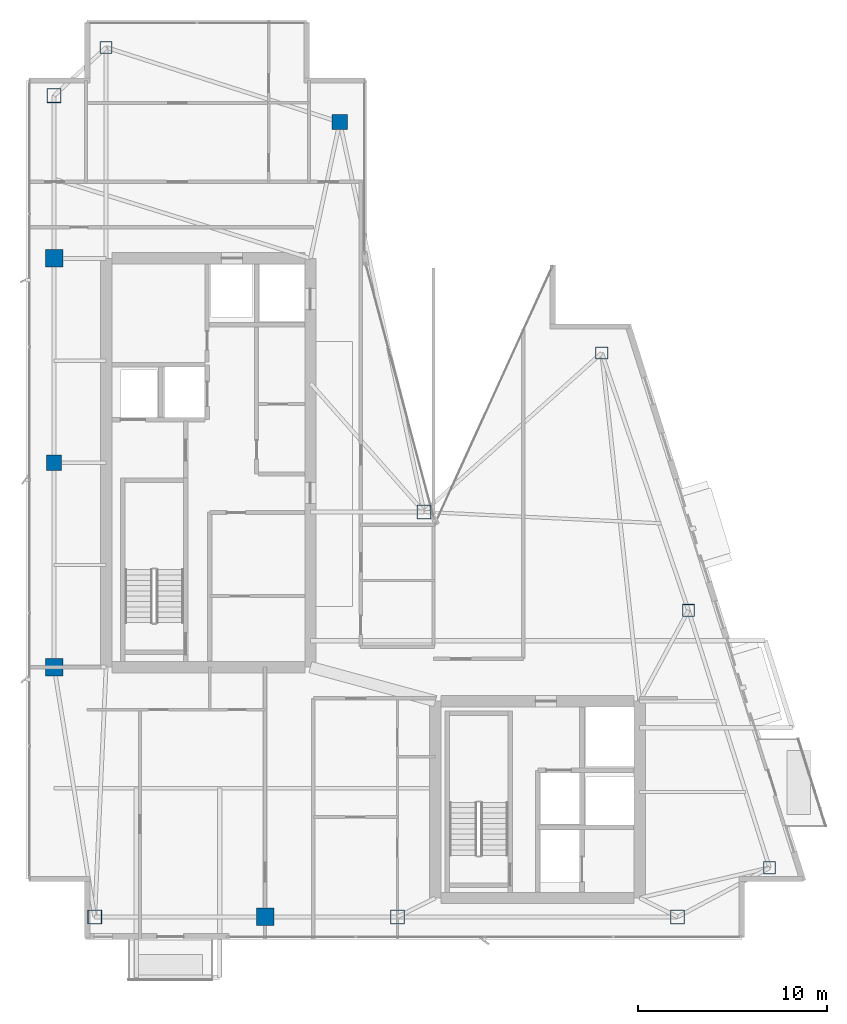
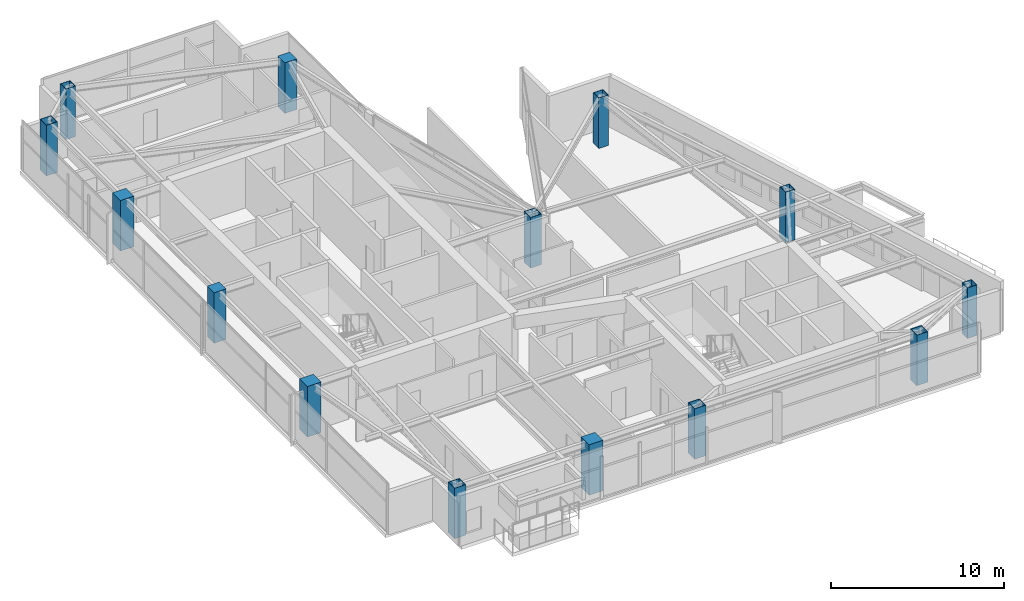
# One storey, part 1 of 27: 14 columns.
"""IFC4 building model written with IfcOpenShell, lengths in metres."""

from ifc_helpers import new_model, si_unit, direction, frame, origin, origin_2d, place, context, subcontext, project, spatial, rectangle, hollow_rectangle, extrude, material, material_profile, profile_set, type_object, element, save


model = new_model("IFC4")

# Units and contexts
model_context = context("Model", 3, precision=1e-05, world=origin(), true_north=direction((0.0, 1.0)))
body_context = subcontext(model_context, "Body", "Model", "MODEL_VIEW")
ifc_project = project(units=[si_unit("LENGTHUNIT", "METRE"), si_unit("AREAUNIT", "SQUARE_METRE"), si_unit("VOLUMEUNIT", "CUBIC_METRE"), si_unit("PLANEANGLEUNIT", "RADIAN"), si_unit("MASSUNIT", "GRAM", prefix="KILO")], contexts=[model_context])

# Site, building, storey
site_placement = place(None, origin())
site = spatial("IfcSite", under=ifc_project, at=site_placement, CompositionType="ELEMENT")
building_placement = place(site_placement, origin())
building = spatial("IfcBuilding", under=site, at=building_placement, Name="Calvorn Quay Hotel", CompositionType="ELEMENT")
storey_placement = place(building_placement, frame((0.0, 0.0, 291.10009765625)))
storey = spatial("IfcBuildingStorey", under=building, at=storey_placement, Name="L72", CompositionType="ELEMENT", Elevation=291.10009765625)

# Columns
ifc_material_1 = material(Name="Concrete C45", Category="concrete")
ifc_material_profile_1 = material_profile(ifc_material_1, rectangle(XDim=0.800048828125, YDim=0.800048828125, at=origin_2d()), Name="RC800x800")
ifc_profile_set_1 = profile_set([ifc_material_profile_1], Name="Concrete C45")
column_type_1 = type_object("IfcColumnType", Name="COL-RC-800", PredefinedType="COLUMN", material=ifc_profile_set_1)
for number, where, z_axis, x_axis, name in (
    (1, (1.449951171875, 27.60009765625, 0.0), (0.0, 0.0, 1.0), (1.0, 0.0, 0.0), "Column C-W3 (L72)"),
    (2, (16.550048828125, 45.60009765625, 0.0), (0.0, 0.0, 1.0), (1.0, 0.0, 0.0), "Column C-IC1 (L72)"),
):
    element("IfcColumn", number, at=place(storey_placement, frame(where, z_axis=z_axis, x_axis=x_axis)), inside=storey, type_object=column_type_1, Name=name, PredefinedType="COLUMN", context=body_context, shape_type="SweptSolid", body=[
        extrude(rectangle(XDim=0.800048828125, YDim=0.800048828125, at=origin_2d()), origin(), (0.0, 0.0, 1.0), 3.559814453125),
    ])
ifc_material_2 = material(Name="Concrete C45", Category="concrete")
ifc_material_profile_2 = material_profile(ifc_material_2, rectangle(XDim=0.919921875, YDim=0.919921875, at=origin_2d()), Name="RC920x920")
ifc_profile_set_2 = profile_set([ifc_material_profile_2], Name="Concrete C45")
column_type_2 = type_object("IfcColumnType", Name="COL-RC-920", PredefinedType="COLUMN", material=ifc_profile_set_2)
for number, where, z_axis, x_axis, name in (
    (3, (1.449951171875, 16.800048828125, 0.0), (0.0, 0.0, 1.0), (1.0, 0.0, 0.0), "Column C-W2 (L72)"),
    (4, (1.449951171875, 38.39990234375, 0.0), (0.0, 0.0, 1.0), (1.0, 0.0, 0.0), "Column C-W4 (L72)"),
    (5, (12.60009765625, 3.60009765625, 0.0), (0.0, 0.0, 1.0), (1.0, 0.0, 0.0), "Column C-S1 (L72)"),
):
    element("IfcColumn", number, at=place(storey_placement, frame(where, z_axis=z_axis, x_axis=x_axis)), inside=storey, type_object=column_type_2, Name=name, PredefinedType="COLUMN", context=body_context, shape_type="SweptSolid", body=[
        extrude(rectangle(XDim=0.919921875, YDim=0.919921875, at=origin_2d()), origin(), (0.0, 0.0, 1.0), 3.559814453125),
    ])
ifc_material_3 = material(Name="Steel Q390GJC", Category="steel")
ifc_material_profile_3 = material_profile(ifc_material_3, hollow_rectangle(XDim=0.75, YDim=0.75, WallThickness=0.031982421875, at=origin_2d()), Name="BOX750x750x32")
ifc_profile_set_3 = profile_set([ifc_material_profile_3], Name="Steel Q390GJC")
column_type_3 = type_object("IfcColumnType", Name="COL-STL-Z3", PredefinedType="COLUMN", material=ifc_profile_set_3)
for number, where, z_axis, x_axis, name in (
    (6, (3.60009765625, 3.60009765625, 0.0), (0.0, 0.0, 1.0), (1.0, 0.0, 0.0), "Column C-W1 (L72)"),
    (7, (1.449951171875, 47.0, 0.0), (0.0, 0.0, 1.0), (1.0, 0.0, 0.0), "Column C-W5 (L72)"),
    (8, (21.0, 25.0, 0.0), (0.0, 0.0, 1.0), (1.0, 0.0, 0.0), "Column C-IC2 (L72)"),
    (9, (19.60009765625, 3.60009765625, 0.0), (0.0, 0.0, 1.0), (1.0, 0.0, 0.0), "Column C-S2 (L72)"),
    (10, (34.39990234375, 3.60009765625, 0.0), (0.0, 0.0, 1.0), (1.0, 0.0, 0.0), "Column C-S3 (L72)"),
):
    element("IfcColumn", number, at=place(storey_placement, frame(where, z_axis=z_axis, x_axis=x_axis)), inside=storey, type_object=column_type_3, Name=name, PredefinedType="COLUMN", context=body_context, shape_type="SweptSolid", body=[
        extrude(hollow_rectangle(XDim=0.75, YDim=0.75, WallThickness=0.031982421875, at=origin_2d()), origin(), (0.0, 0.0, 1.0), 3.559814453125),
    ])
ifc_material_4 = material(Name="Steel Q355B", Category="steel")
ifc_material_profile_4 = material_profile(ifc_material_4, hollow_rectangle(XDim=0.64990234375, YDim=0.64990234375, WallThickness=0.028076171875, at=origin_2d()), Name="BOX650x650x28")
ifc_profile_set_4 = profile_set([ifc_material_profile_4], Name="Steel Q355B")
column_type_4 = type_object("IfcColumnType", Name="COL-STL-Z4", PredefinedType="COLUMN", material=ifc_profile_set_4)
for number, where, z_axis, x_axis, name in (
    (11, (4.199951171875, 49.550048828125, 0.0), (0.0, 0.0, 1.0), (1.0, 0.0, 0.0), "Column C-NW1 (L72)"),
    (12, (39.260986328125, 6.199951171875, 0.0), (0.0, 0.0, 1.0), (1.0, 0.0, 0.0), "Column C-ET1 (L72)"),
    (13, (34.97607421875, 19.800048828125, 0.0), (0.0, 0.0, 1.0), (1.0, 0.0, 0.0), "Column C-ET2 (L72)"),
    (14, (30.39111328125, 33.39990234375, 0.0), (0.0, 0.0, 1.0), (1.0, 0.0, 0.0), "Column C-ET3 (L72)"),
):
    element("IfcColumn", number, at=place(storey_placement, frame(where, z_axis=z_axis, x_axis=x_axis)), inside=storey, type_object=column_type_4, Name=name, PredefinedType="COLUMN", context=body_context, shape_type="SweptSolid", body=[
        extrude(hollow_rectangle(XDim=0.64990234375, YDim=0.64990234375, WallThickness=0.028076171875, at=origin_2d()), origin(), (0.0, 0.0, 1.0), 3.559814453125),
    ])

save(model, "model.ifc")
